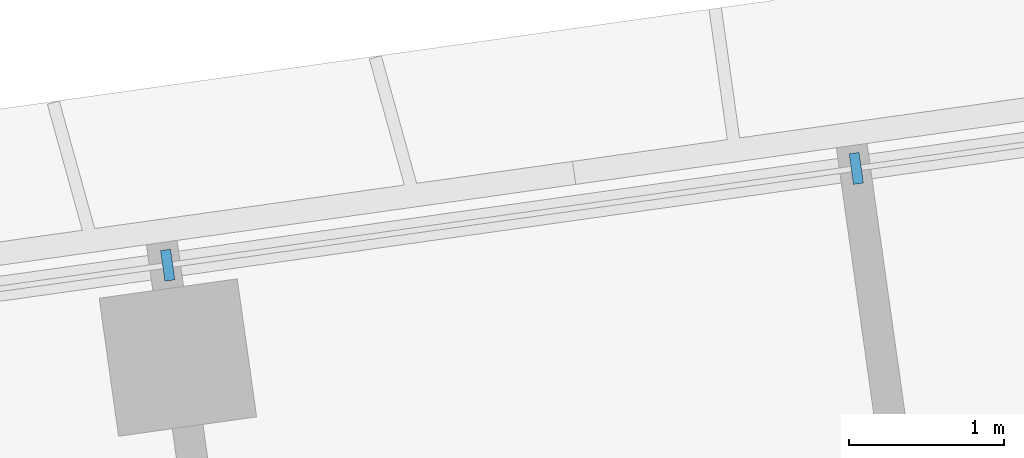
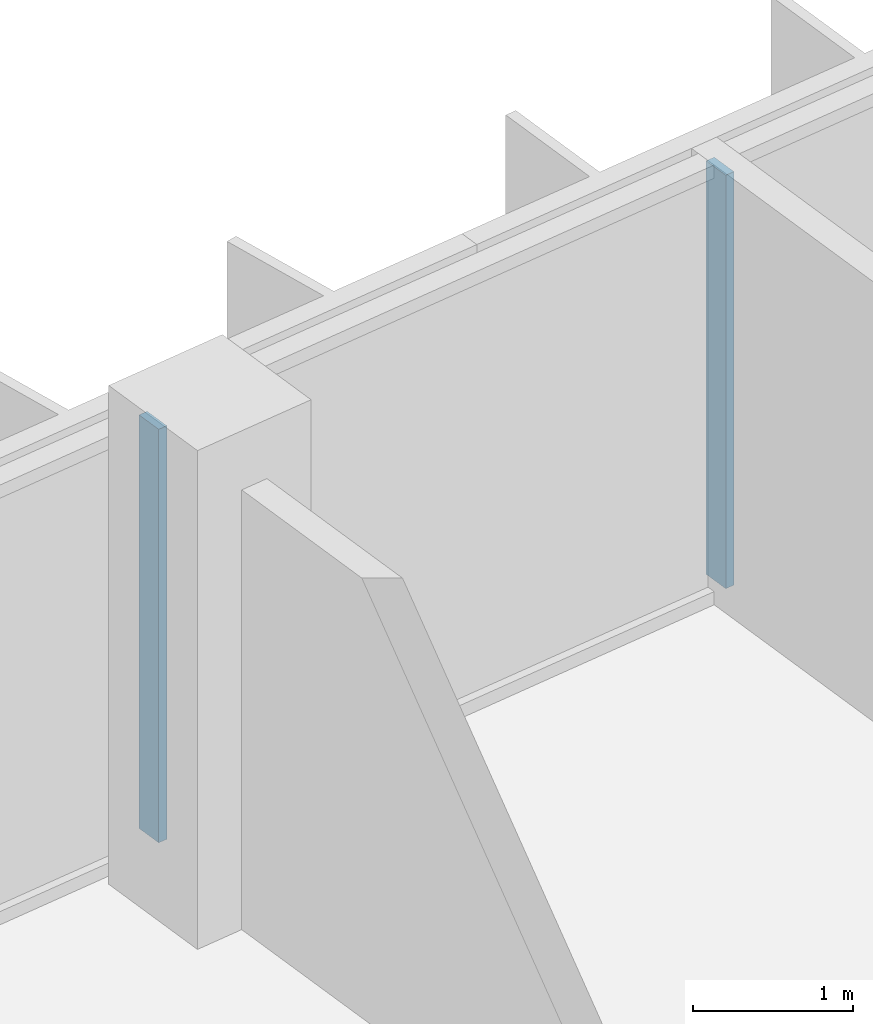
# One storey, part 8 of 24: 2 members, 1 element without a shape of its own.
"""IFC4 building model written with IfcOpenShell, lengths in metres."""

from ifc_helpers import new_model, si_unit, direction, frame, origin, origin_2d, place, context, subcontext, project, spatial, rectangle, extrude, material, material_profile, profile_set, type_object, element, aggregate, save


model = new_model("IFC4")

# Units and contexts
model_context = context("Model", 3, precision=1e-05, world=origin(), true_north=direction((0.0, 1.0)))
body_context = subcontext(model_context, "Body", "Model", "MODEL_VIEW")
ifc_project = project(units=[si_unit("LENGTHUNIT", "METRE"), si_unit("AREAUNIT", "SQUARE_METRE"), si_unit("VOLUMEUNIT", "CUBIC_METRE"), si_unit("PLANEANGLEUNIT", "RADIAN"), si_unit("MASSUNIT", "GRAM", prefix="KILO")], contexts=[model_context])

# Site, building, storey
site_placement = place(None, origin())
site = spatial("IfcSite", under=ifc_project, at=site_placement, CompositionType="ELEMENT")
building_placement = place(site_placement, origin())
building = spatial("IfcBuilding", under=site, at=building_placement, Name="Mirante Cascada Hotel Towers", CompositionType="ELEMENT")
storey_placement = place(building_placement, frame((0.0, 0.0, 132.9)))
storey = spatial("IfcBuildingStorey", under=building, at=storey_placement, Name="L30", CompositionType="ELEMENT", Elevation=132.9)

# Curtain wall, members
ifc_material_1 = material(Name="Aluminium mullion and transom frame with clear laminated glass", Category="aluminium")
curtain_wall_type = type_object("IfcCurtainWallType", Name="Ribbon curtain wall ECW1", PredefinedType="NOTDEFINED", material=ifc_material_1)
curtain_wall_placement = place(storey_placement, origin())
curtain_wall = element("IfcCurtainWall", 1, at=curtain_wall_placement, inside=storey, type_object=curtain_wall_type, Name="Front ribbon wall T2 L30", PredefinedType="NOTDEFINED")
ifc_material_2 = material(Name="Anodised aluminium extrusion", Category="aluminium")
ifc_material_profile = material_profile(ifc_material_2, rectangle(XDim=0.2, YDim=0.065, at=origin_2d()), Name="ECW1 MULLION 65x200")
ifc_profile_set = profile_set([ifc_material_profile], Name="Anodised aluminium extrusion")
member_type = type_object("IfcMemberType", Name="ECW1 mullion 65x200", PredefinedType="MULLION", material=ifc_profile_set)
member_1_placement = place(storey_placement, frame((58.5788, 21.0517, 0.1), z_axis=(0.0, 0.0, 1.0), x_axis=(0.1391731, -0.9902681, 0.0)))
member_1 = element("IfcMember", 2, at=member_1_placement, type_object=member_type, Name="ECW1 mullion 9", PredefinedType="MULLION", context=body_context, shape_type="SweptSolid", body=[
    extrude(rectangle(XDim=0.2, YDim=0.065, at=origin_2d()), origin(), (0.0, 0.0, 1.0), 3.15),
])
member_2_placement = place(storey_placement, frame((54.1314, 20.4267, 0.1), z_axis=(0.0, 0.0, 1.0), x_axis=(0.1391731, -0.9902681, 0.0)))
member_2 = element("IfcMember", 3, at=member_2_placement, type_object=member_type, Name="ECW1 mullion 10", PredefinedType="MULLION", context=body_context, shape_type="SweptSolid", body=[
    extrude(rectangle(XDim=0.2, YDim=0.065, at=origin_2d()), origin(), (0.0, 0.0, 1.0), 3.15),
])
aggregate(curtain_wall, [member_1, member_2])

save(model, "model.ifc")
